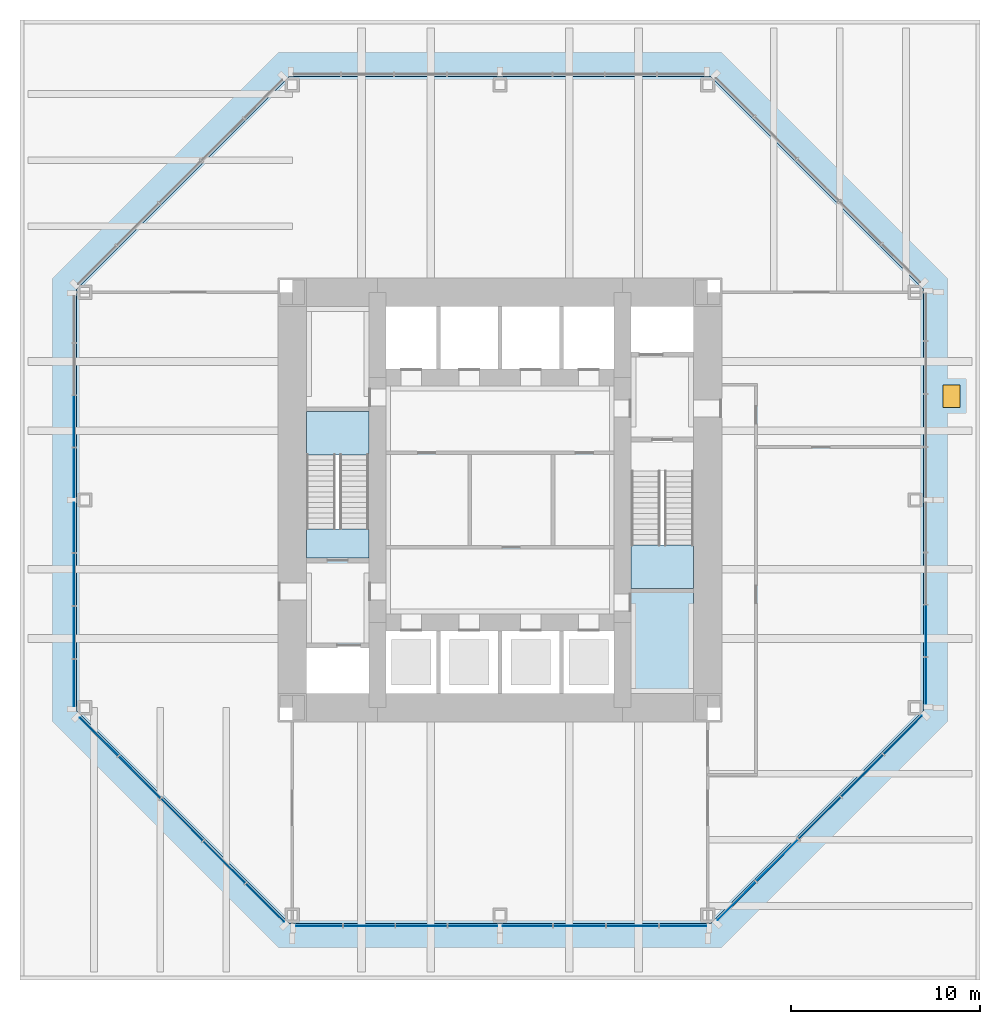
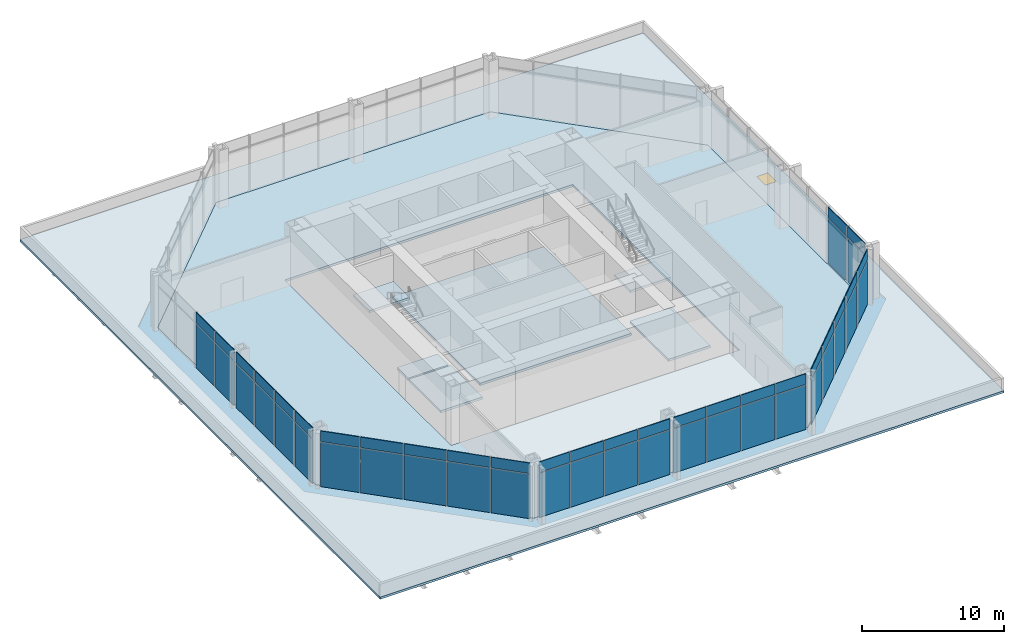
# One storey, part 6 of 11: 52 plates, 8 slabs, 1 window, 1 opening, 7 elements without a shape of their own.
"""IFC4 building model written with IfcOpenShell, lengths in metres."""

from ifc_helpers import new_model, si_unit, direction, frame, origin, origin_2d, place, context, subcontext, project, spatial, polyline, rectangle, outline, extrude, material, layer, layer_set, type_object, element, fill, aggregate, save


model = new_model("IFC4")

# Units and contexts
model_context = context("Model", 3, precision=1e-05, world=origin(), true_north=direction((0.0, 1.0)))
body_context = subcontext(model_context, "Body", "Model", "MODEL_VIEW")
ifc_project = project(units=[si_unit("LENGTHUNIT", "METRE"), si_unit("AREAUNIT", "SQUARE_METRE"), si_unit("VOLUMEUNIT", "CUBIC_METRE"), si_unit("PLANEANGLEUNIT", "RADIAN"), si_unit("MASSUNIT", "GRAM", prefix="KILO")], contexts=[model_context])

# Site, building, storey
site_placement = place(None, origin())
site = spatial("IfcSite", under=ifc_project, at=site_placement, CompositionType="ELEMENT")
building_placement = place(site_placement, origin())
building = spatial("IfcBuilding", under=site, at=building_placement, Name="Trevanion Tower", CompositionType="ELEMENT")
storey_placement = place(building_placement, frame((0.0, 0.0, 95.800048828125)))
storey = spatial("IfcBuildingStorey", under=building, at=storey_placement, Name="L22", CompositionType="ELEMENT", Elevation=95.800048828125)

# Curtain wall, plates
ifc_material_1 = material(Name="Aluminium and glass", Category="aluminium")
curtain_wall_type = type_object("IfcCurtainWallType", Name="CW2 curtain wall", PredefinedType="USERDEFINED", material=ifc_material_1)
curtain_wall_1_placement = place(storey_placement, origin())
curtain_wall_1 = element("IfcCurtainWall", 1, at=curtain_wall_1_placement, inside=storey, type_object=curtain_wall_type, Name="CW2 L22 0", ObjectType="UNITISED CURTAIN WALL", PredefinedType="USERDEFINED")
ifc_material_2 = material(Name="Aluminium spandrel panel", Category="aluminium")
ifc_layer_1 = layer(ifc_material_2, 0.06005859375)
ifc_layer_set_1 = layer_set([ifc_layer_1], Name="CW2 spandrel panel")
plate_type_1 = type_object("IfcPlateType", Name="CW2 spandrel panel", PredefinedType="CURTAIN_PANEL", material=ifc_layer_set_1)
plate_1_placement = place(storey_placement, frame((22.550048828125, -9.579345703125, 3.8974609375), z_axis=(0.0, 0.0, 1.0), x_axis=(0.0, 1.0, 0.0)))
plate_1 = element("IfcPlate", 2, at=plate_1_placement, type_object=plate_type_1, Name="CW2 panel 1.2", PredefinedType="CURTAIN_PANEL", context=body_context, shape_type="SweptSolid", body=[
    extrude(rectangle(XDim=2.43701171875, YDim=0.06005859375, at=origin_2d()), origin(), (0.0, 0.0, 1.0), 0.91259765625),
])
plate_2_placement = place(storey_placement, frame((22.550048828125, -6.93603515625, 3.8974609375), z_axis=(0.0, 0.0, 1.0), x_axis=(0.0, 1.0, 0.0)))
plate_2 = element("IfcPlate", 3, at=plate_2_placement, type_object=plate_type_1, Name="CW2 panel 2.2", PredefinedType="CURTAIN_PANEL", context=body_context, shape_type="SweptSolid", body=[
    extrude(rectangle(XDim=2.699462890625, YDim=0.06005859375, at=origin_2d()), origin(), (0.0, 0.0, 1.0), 0.91259765625),
])

curtain_wall_2_placement = place(storey_placement, origin())
curtain_wall_2 = element("IfcCurtainWall", 4, at=curtain_wall_2_placement, inside=storey, type_object=curtain_wall_type, Name="CW2 L22 4", ObjectType="UNITISED CURTAIN WALL", PredefinedType="USERDEFINED")
plate_3_placement = place(storey_placement, frame((-22.550048828125, 4.16162109375, 3.8974609375), z_axis=(0.0, 0.0, 1.0), x_axis=(0.0, -1.0, 0.0)))
plate_3 = element("IfcPlate", 5, at=plate_3_placement, type_object=plate_type_1, Name="CW2 panel 3.2", PredefinedType="CURTAIN_PANEL", context=body_context, shape_type="SweptSolid", body=[
    extrude(rectangle(XDim=2.699462890625, YDim=0.06005859375, at=origin_2d()), origin(), (0.0, 0.0, 1.0), 0.91259765625),
])
plate_4_placement = place(storey_placement, frame((-22.550048828125, 1.443603515625, 3.8974609375), z_axis=(0.0, 0.0, 1.0), x_axis=(0.0, -1.0, 0.0)))
plate_4 = element("IfcPlate", 6, at=plate_4_placement, type_object=plate_type_1, Name="CW2 panel 4.2", PredefinedType="CURTAIN_PANEL", context=body_context, shape_type="SweptSolid", body=[
    extrude(rectangle(XDim=2.5869140625, YDim=0.06005859375, at=origin_2d()), origin(), (0.0, 0.0, 1.0), 0.91259765625),
])
plate_5_placement = place(storey_placement, frame((-22.550048828125, -1.459716796875, 3.8974609375), z_axis=(0.0, 0.0, 1.0), x_axis=(0.0, -1.0, 0.0)))
plate_5 = element("IfcPlate", 7, at=plate_5_placement, type_object=plate_type_1, Name="CW2 panel 5.2", PredefinedType="CURTAIN_PANEL", context=body_context, shape_type="SweptSolid", body=[
    extrude(rectangle(XDim=2.619384765625, YDim=0.06005859375, at=origin_2d()), origin(), (0.0, 0.0, 1.0), 0.91259765625),
])
plate_6_placement = place(storey_placement, frame((-22.550048828125, -4.21044921875, 3.8974609375), z_axis=(0.0, 0.0, 1.0), x_axis=(0.0, -1.0, 0.0)))
plate_6 = element("IfcPlate", 8, at=plate_6_placement, type_object=plate_type_1, Name="CW2 panel 6.2", PredefinedType="CURTAIN_PANEL", context=body_context, shape_type="SweptSolid", body=[
    extrude(rectangle(XDim=2.73193359375, YDim=0.06005859375, at=origin_2d()), origin(), (0.0, 0.0, 1.0), 0.91259765625),
])
plate_7_placement = place(storey_placement, frame((-22.550048828125, -7.017333984375, 3.8974609375), z_axis=(0.0, 0.0, 1.0), x_axis=(0.0, -1.0, 0.0)))
plate_7 = element("IfcPlate", 9, at=plate_7_placement, type_object=plate_type_1, Name="CW2 panel 7.2", PredefinedType="CURTAIN_PANEL", context=body_context, shape_type="SweptSolid", body=[
    extrude(rectangle(XDim=2.73193359375, YDim=0.06005859375, at=origin_2d()), origin(), (0.0, 0.0, 1.0), 0.91259765625),
])
plate_8_placement = place(storey_placement, frame((-22.550048828125, -9.693115234375, 3.8974609375), z_axis=(0.0, 0.0, 1.0), x_axis=(0.0, -1.0, 0.0)))
plate_8 = element("IfcPlate", 10, at=plate_8_placement, type_object=plate_type_1, Name="CW2 panel 8.2", PredefinedType="CURTAIN_PANEL", context=body_context, shape_type="SweptSolid", body=[
    extrude(rectangle(XDim=2.469482421875, YDim=0.06005859375, at=origin_2d()), origin(), (0.0, 0.0, 1.0), 0.91259765625),
])

curtain_wall_3_placement = place(storey_placement, origin())
curtain_wall_3 = element("IfcCurtainWall", 11, at=curtain_wall_3_placement, inside=storey, type_object=curtain_wall_type, Name="CW2 L22 5", ObjectType="UNITISED CURTAIN WALL", PredefinedType="USERDEFINED")
plate_9_placement = place(storey_placement, frame((-21.2421875, -12.53564453125, 3.8974609375), z_axis=(0.0, 0.0, 1.0), x_axis=(0.707106781187, -0.707106781187, 0.0)))
plate_9 = element("IfcPlate", 12, at=plate_9_placement, type_object=plate_type_1, Name="CW2 panel 1.2", PredefinedType="CURTAIN_PANEL", context=body_context, shape_type="SweptSolid", body=[
    extrude(rectangle(XDim=2.8388671875, YDim=0.06005859375, at=origin_2d()), origin(), (0.0, 0.0, 1.0), 0.91259765625),
])
plate_10_placement = place(storey_placement, frame((-19.089111328125, -14.688720703125, 3.8974609375), z_axis=(0.0, 0.0, 1.0), x_axis=(0.707106781187, -0.707106781187, 0.0)))
plate_10 = element("IfcPlate", 13, at=plate_10_placement, type_object=plate_type_1, Name="CW2 panel 2.2", PredefinedType="CURTAIN_PANEL", context=body_context, shape_type="SweptSolid", body=[
    extrude(rectangle(XDim=3.101318359375, YDim=0.06005859375, at=origin_2d()), origin(), (0.0, 0.0, 1.0), 0.91259765625),
])
plate_11_placement = place(storey_placement, frame((-16.843017578125, -16.934814453125, 3.8974609375), z_axis=(0.0, 0.0, 1.0), x_axis=(0.707106781187, -0.707106781187, 0.0)))
plate_11 = element("IfcPlate", 14, at=plate_11_placement, type_object=plate_type_1, Name="CW2 panel 3.2", PredefinedType="CURTAIN_PANEL", context=body_context, shape_type="SweptSolid", body=[
    extrude(rectangle(XDim=3.101318359375, YDim=0.06005859375, at=origin_2d()), origin(), (0.0, 0.0, 1.0), 0.91259765625),
])
plate_12_placement = place(storey_placement, frame((-14.596923828125, -19.180908203125, 3.8974609375), z_axis=(0.0, 0.0, 1.0), x_axis=(0.707106781187, -0.707106781187, 0.0)))
plate_12 = element("IfcPlate", 15, at=plate_12_placement, type_object=plate_type_1, Name="CW2 panel 4.2", PredefinedType="CURTAIN_PANEL", context=body_context, shape_type="SweptSolid", body=[
    extrude(rectangle(XDim=3.101318359375, YDim=0.06005859375, at=origin_2d()), origin(), (0.0, 0.0, 1.0), 0.91259765625),
])
plate_13_placement = place(storey_placement, frame((-12.443603515625, -21.334228515625, 3.8974609375), z_axis=(0.0, 0.0, 1.0), x_axis=(0.707106781187, -0.707106781187, 0.0)))
plate_13 = element("IfcPlate", 16, at=plate_13_placement, type_object=plate_type_1, Name="CW2 panel 5.2", PredefinedType="CURTAIN_PANEL", context=body_context, shape_type="SweptSolid", body=[
    extrude(rectangle(XDim=2.8388671875, YDim=0.06005859375, at=origin_2d()), origin(), (0.0, 0.0, 1.0), 0.91259765625),
])

curtain_wall_4_placement = place(storey_placement, origin())
curtain_wall_4 = element("IfcCurtainWall", 17, at=curtain_wall_4_placement, inside=storey, type_object=curtain_wall_type, Name="CW2 L22 6", ObjectType="UNITISED CURTAIN WALL", PredefinedType="USERDEFINED")
plate_14_placement = place(storey_placement, frame((-9.579345703125, -22.550048828125, 3.8974609375), z_axis=(0.0, 0.0, 1.0), x_axis=(1.0, 0.0, 0.0)))
plate_14 = element("IfcPlate", 18, at=plate_14_placement, type_object=plate_type_1, Name="CW2 panel 1.2", PredefinedType="CURTAIN_PANEL", context=body_context, shape_type="SweptSolid", body=[
    extrude(rectangle(XDim=2.43701171875, YDim=0.06005859375, at=origin_2d()), origin(), (0.0, 0.0, 1.0), 0.91259765625),
])
plate_15_placement = place(storey_placement, frame((-6.93603515625, -22.550048828125, 3.8974609375), z_axis=(0.0, 0.0, 1.0), x_axis=(1.0, 0.0, 0.0)))
plate_15 = element("IfcPlate", 19, at=plate_15_placement, type_object=plate_type_1, Name="CW2 panel 2.2", PredefinedType="CURTAIN_PANEL", context=body_context, shape_type="SweptSolid", body=[
    extrude(rectangle(XDim=2.699462890625, YDim=0.06005859375, at=origin_2d()), origin(), (0.0, 0.0, 1.0), 0.91259765625),
])
plate_16_placement = place(storey_placement, frame((-4.16162109375, -22.550048828125, 3.8974609375), z_axis=(0.0, 0.0, 1.0), x_axis=(1.0, 0.0, 0.0)))
plate_16 = element("IfcPlate", 20, at=plate_16_placement, type_object=plate_type_1, Name="CW2 panel 3.2", PredefinedType="CURTAIN_PANEL", context=body_context, shape_type="SweptSolid", body=[
    extrude(rectangle(XDim=2.699462890625, YDim=0.06005859375, at=origin_2d()), origin(), (0.0, 0.0, 1.0), 0.91259765625),
])
plate_17_placement = place(storey_placement, frame((-1.443603515625, -22.550048828125, 3.8974609375), z_axis=(0.0, 0.0, 1.0), x_axis=(1.0, 0.0, 0.0)))
plate_17 = element("IfcPlate", 21, at=plate_17_placement, type_object=plate_type_1, Name="CW2 panel 4.2", PredefinedType="CURTAIN_PANEL", context=body_context, shape_type="SweptSolid", body=[
    extrude(rectangle(XDim=2.5869140625, YDim=0.06005859375, at=origin_2d()), origin(), (0.0, 0.0, 1.0), 0.91259765625),
])
plate_18_placement = place(storey_placement, frame((1.459716796875, -22.550048828125, 3.8974609375), z_axis=(0.0, 0.0, 1.0), x_axis=(1.0, 0.0, 0.0)))
plate_18 = element("IfcPlate", 22, at=plate_18_placement, type_object=plate_type_1, Name="CW2 panel 5.2", PredefinedType="CURTAIN_PANEL", context=body_context, shape_type="SweptSolid", body=[
    extrude(rectangle(XDim=2.619384765625, YDim=0.06005859375, at=origin_2d()), origin(), (0.0, 0.0, 1.0), 0.91259765625),
])
plate_19_placement = place(storey_placement, frame((4.21044921875, -22.550048828125, 3.8974609375), z_axis=(0.0, 0.0, 1.0), x_axis=(1.0, 0.0, 0.0)))
plate_19 = element("IfcPlate", 23, at=plate_19_placement, type_object=plate_type_1, Name="CW2 panel 6.2", PredefinedType="CURTAIN_PANEL", context=body_context, shape_type="SweptSolid", body=[
    extrude(rectangle(XDim=2.73193359375, YDim=0.06005859375, at=origin_2d()), origin(), (0.0, 0.0, 1.0), 0.91259765625),
])
plate_20_placement = place(storey_placement, frame((7.017333984375, -22.550048828125, 3.8974609375), z_axis=(0.0, 0.0, 1.0), x_axis=(1.0, 0.0, 0.0)))
plate_20 = element("IfcPlate", 24, at=plate_20_placement, type_object=plate_type_1, Name="CW2 panel 7.2", PredefinedType="CURTAIN_PANEL", context=body_context, shape_type="SweptSolid", body=[
    extrude(rectangle(XDim=2.73193359375, YDim=0.06005859375, at=origin_2d()), origin(), (0.0, 0.0, 1.0), 0.91259765625),
])
plate_21_placement = place(storey_placement, frame((9.693115234375, -22.550048828125, 3.8974609375), z_axis=(0.0, 0.0, 1.0), x_axis=(1.0, 0.0, 0.0)))
plate_21 = element("IfcPlate", 25, at=plate_21_placement, type_object=plate_type_1, Name="CW2 panel 8.2", PredefinedType="CURTAIN_PANEL", context=body_context, shape_type="SweptSolid", body=[
    extrude(rectangle(XDim=2.469482421875, YDim=0.06005859375, at=origin_2d()), origin(), (0.0, 0.0, 1.0), 0.91259765625),
])

curtain_wall_5_placement = place(storey_placement, origin())
curtain_wall_5 = element("IfcCurtainWall", 26, at=curtain_wall_5_placement, inside=storey, type_object=curtain_wall_type, Name="CW2 L22 7", ObjectType="UNITISED CURTAIN WALL", PredefinedType="USERDEFINED")
plate_22_placement = place(storey_placement, frame((12.53564453125, -21.2421875, 3.8974609375), z_axis=(0.0, 0.0, 1.0), x_axis=(0.707106781187, 0.707106781187, 0.0)))
plate_22 = element("IfcPlate", 27, at=plate_22_placement, type_object=plate_type_1, Name="CW2 panel 1.2", PredefinedType="CURTAIN_PANEL", context=body_context, shape_type="SweptSolid", body=[
    extrude(rectangle(XDim=2.8388671875, YDim=0.06005859375, at=origin_2d()), origin(), (0.0, 0.0, 1.0), 0.91259765625),
])
plate_23_placement = place(storey_placement, frame((14.688720703125, -19.089111328125, 3.8974609375), z_axis=(0.0, 0.0, 1.0), x_axis=(0.707106781187, 0.707106781187, 0.0)))
plate_23 = element("IfcPlate", 28, at=plate_23_placement, type_object=plate_type_1, Name="CW2 panel 2.2", PredefinedType="CURTAIN_PANEL", context=body_context, shape_type="SweptSolid", body=[
    extrude(rectangle(XDim=3.101318359375, YDim=0.06005859375, at=origin_2d()), origin(), (0.0, 0.0, 1.0), 0.91259765625),
])
plate_24_placement = place(storey_placement, frame((16.934814453125, -16.843017578125, 3.8974609375), z_axis=(0.0, 0.0, 1.0), x_axis=(0.707106781187, 0.707106781187, 0.0)))
plate_24 = element("IfcPlate", 29, at=plate_24_placement, type_object=plate_type_1, Name="CW2 panel 3.2", PredefinedType="CURTAIN_PANEL", context=body_context, shape_type="SweptSolid", body=[
    extrude(rectangle(XDim=3.101318359375, YDim=0.06005859375, at=origin_2d()), origin(), (0.0, 0.0, 1.0), 0.91259765625),
])
plate_25_placement = place(storey_placement, frame((19.180908203125, -14.596923828125, 3.8974609375), z_axis=(0.0, 0.0, 1.0), x_axis=(0.707106781187, 0.707106781187, 0.0)))
plate_25 = element("IfcPlate", 30, at=plate_25_placement, type_object=plate_type_1, Name="CW2 panel 4.2", PredefinedType="CURTAIN_PANEL", context=body_context, shape_type="SweptSolid", body=[
    extrude(rectangle(XDim=3.101318359375, YDim=0.06005859375, at=origin_2d()), origin(), (0.0, 0.0, 1.0), 0.91259765625),
])
plate_26_placement = place(storey_placement, frame((21.334228515625, -12.443603515625, 3.8974609375), z_axis=(0.0, 0.0, 1.0), x_axis=(0.707106781187, 0.707106781187, 0.0)))
plate_26 = element("IfcPlate", 31, at=plate_26_placement, type_object=plate_type_1, Name="CW2 panel 5.2", PredefinedType="CURTAIN_PANEL", context=body_context, shape_type="SweptSolid", body=[
    extrude(rectangle(XDim=2.8388671875, YDim=0.06005859375, at=origin_2d()), origin(), (0.0, 0.0, 1.0), 0.91259765625),
])

# Plate
ifc_material_3 = material(Name="Insulating glass unit", Category="glass")
ifc_layer_2 = layer(ifc_material_3, 0.028076171875)
ifc_layer_set_2 = layer_set([ifc_layer_2], Name="CW2 vision panel")
plate_type_2 = type_object("IfcPlateType", Name="CW2 vision panel", PredefinedType="CURTAIN_PANEL", material=ifc_layer_set_2)
plate_27_placement = place(storey_placement, frame((22.550048828125, -9.579345703125, -0.114990234375), z_axis=(0.0, 0.0, 1.0), x_axis=(0.0, 1.0, 0.0)))
plate_27 = element("IfcPlate", 32, at=plate_27_placement, type_object=plate_type_2, Name="CW2 panel 1.1", PredefinedType="CURTAIN_PANEL", context=body_context, shape_type="SweptSolid", body=[
    extrude(rectangle(XDim=2.43701171875, YDim=0.028076171875, at=origin_2d()), origin(), (0.0, 0.0, 1.0), 3.9375),
])

plate_28_placement = place(storey_placement, frame((22.550048828125, -6.93603515625, -0.114990234375), z_axis=(0.0, 0.0, 1.0), x_axis=(0.0, 1.0, 0.0)))
plate_28 = element("IfcPlate", 33, at=plate_28_placement, type_object=plate_type_2, Name="CW2 panel 2.1", PredefinedType="CURTAIN_PANEL", context=body_context, shape_type="SweptSolid", body=[
    extrude(rectangle(XDim=2.699462890625, YDim=0.028076171875, at=origin_2d()), origin(), (0.0, 0.0, 1.0), 3.9375),
])

aggregate(curtain_wall_1, [plate_27, plate_1, plate_28, plate_2])

plate_29_placement = place(storey_placement, frame((-22.550048828125, 4.16162109375, -0.114990234375), z_axis=(0.0, 0.0, 1.0), x_axis=(0.0, -1.0, 0.0)))
plate_29 = element("IfcPlate", 34, at=plate_29_placement, type_object=plate_type_2, Name="CW2 panel 3.1", PredefinedType="CURTAIN_PANEL", context=body_context, shape_type="SweptSolid", body=[
    extrude(rectangle(XDim=2.699462890625, YDim=0.028076171875, at=origin_2d()), origin(), (0.0, 0.0, 1.0), 3.9375),
])

plate_30_placement = place(storey_placement, frame((-22.550048828125, 1.443603515625, -0.114990234375), z_axis=(0.0, 0.0, 1.0), x_axis=(0.0, -1.0, 0.0)))
plate_30 = element("IfcPlate", 35, at=plate_30_placement, type_object=plate_type_2, Name="CW2 panel 4.1", PredefinedType="CURTAIN_PANEL", context=body_context, shape_type="SweptSolid", body=[
    extrude(rectangle(XDim=2.5869140625, YDim=0.028076171875, at=origin_2d()), origin(), (0.0, 0.0, 1.0), 3.9375),
])

plate_31_placement = place(storey_placement, frame((-22.550048828125, -1.459716796875, -0.114990234375), z_axis=(0.0, 0.0, 1.0), x_axis=(0.0, -1.0, 0.0)))
plate_31 = element("IfcPlate", 36, at=plate_31_placement, type_object=plate_type_2, Name="CW2 panel 5.1", PredefinedType="CURTAIN_PANEL", context=body_context, shape_type="SweptSolid", body=[
    extrude(rectangle(XDim=2.619384765625, YDim=0.028076171875, at=origin_2d()), origin(), (0.0, 0.0, 1.0), 3.9375),
])

plate_32_placement = place(storey_placement, frame((-22.550048828125, -4.21044921875, -0.114990234375), z_axis=(0.0, 0.0, 1.0), x_axis=(0.0, -1.0, 0.0)))
plate_32 = element("IfcPlate", 37, at=plate_32_placement, type_object=plate_type_2, Name="CW2 panel 6.1", PredefinedType="CURTAIN_PANEL", context=body_context, shape_type="SweptSolid", body=[
    extrude(rectangle(XDim=2.73193359375, YDim=0.028076171875, at=origin_2d()), origin(), (0.0, 0.0, 1.0), 3.9375),
])

plate_33_placement = place(storey_placement, frame((-22.550048828125, -7.017333984375, -0.114990234375), z_axis=(0.0, 0.0, 1.0), x_axis=(0.0, -1.0, 0.0)))
plate_33 = element("IfcPlate", 38, at=plate_33_placement, type_object=plate_type_2, Name="CW2 panel 7.1", PredefinedType="CURTAIN_PANEL", context=body_context, shape_type="SweptSolid", body=[
    extrude(rectangle(XDim=2.73193359375, YDim=0.028076171875, at=origin_2d()), origin(), (0.0, 0.0, 1.0), 3.9375),
])

plate_34_placement = place(storey_placement, frame((-22.550048828125, -9.693115234375, -0.114990234375), z_axis=(0.0, 0.0, 1.0), x_axis=(0.0, -1.0, 0.0)))
plate_34 = element("IfcPlate", 39, at=plate_34_placement, type_object=plate_type_2, Name="CW2 panel 8.1", PredefinedType="CURTAIN_PANEL", context=body_context, shape_type="SweptSolid", body=[
    extrude(rectangle(XDim=2.469482421875, YDim=0.028076171875, at=origin_2d()), origin(), (0.0, 0.0, 1.0), 3.9375),
])

aggregate(curtain_wall_2, [plate_29, plate_3, plate_30, plate_4, plate_31, plate_5, plate_32, plate_6, plate_33, plate_7, plate_34, plate_8])

plate_35_placement = place(storey_placement, frame((-21.2421875, -12.53564453125, -0.114990234375), z_axis=(0.0, 0.0, 1.0), x_axis=(0.707106781187, -0.707106781187, 0.0)))
plate_35 = element("IfcPlate", 40, at=plate_35_placement, type_object=plate_type_2, Name="CW2 panel 1.1", PredefinedType="CURTAIN_PANEL", context=body_context, shape_type="SweptSolid", body=[
    extrude(rectangle(XDim=2.8388671875, YDim=0.028076171875, at=origin_2d()), origin(), (0.0, 0.0, 1.0), 3.9375),
])

plate_36_placement = place(storey_placement, frame((-19.089111328125, -14.688720703125, -0.114990234375), z_axis=(0.0, 0.0, 1.0), x_axis=(0.707106781187, -0.707106781187, 0.0)))
plate_36 = element("IfcPlate", 41, at=plate_36_placement, type_object=plate_type_2, Name="CW2 panel 2.1", PredefinedType="CURTAIN_PANEL", context=body_context, shape_type="SweptSolid", body=[
    extrude(rectangle(XDim=3.101318359375, YDim=0.028076171875, at=origin_2d()), origin(), (0.0, 0.0, 1.0), 3.9375),
])

plate_37_placement = place(storey_placement, frame((-16.843017578125, -16.934814453125, -0.114990234375), z_axis=(0.0, 0.0, 1.0), x_axis=(0.707106781187, -0.707106781187, 0.0)))
plate_37 = element("IfcPlate", 42, at=plate_37_placement, type_object=plate_type_2, Name="CW2 panel 3.1", PredefinedType="CURTAIN_PANEL", context=body_context, shape_type="SweptSolid", body=[
    extrude(rectangle(XDim=3.101318359375, YDim=0.028076171875, at=origin_2d()), origin(), (0.0, 0.0, 1.0), 3.9375),
])

plate_38_placement = place(storey_placement, frame((-14.596923828125, -19.180908203125, -0.114990234375), z_axis=(0.0, 0.0, 1.0), x_axis=(0.707106781187, -0.707106781187, 0.0)))
plate_38 = element("IfcPlate", 43, at=plate_38_placement, type_object=plate_type_2, Name="CW2 panel 4.1", PredefinedType="CURTAIN_PANEL", context=body_context, shape_type="SweptSolid", body=[
    extrude(rectangle(XDim=3.101318359375, YDim=0.028076171875, at=origin_2d()), origin(), (0.0, 0.0, 1.0), 3.9375),
])

plate_39_placement = place(storey_placement, frame((-12.443603515625, -21.334228515625, -0.114990234375), z_axis=(0.0, 0.0, 1.0), x_axis=(0.707106781187, -0.707106781187, 0.0)))
plate_39 = element("IfcPlate", 44, at=plate_39_placement, type_object=plate_type_2, Name="CW2 panel 5.1", PredefinedType="CURTAIN_PANEL", context=body_context, shape_type="SweptSolid", body=[
    extrude(rectangle(XDim=2.8388671875, YDim=0.028076171875, at=origin_2d()), origin(), (0.0, 0.0, 1.0), 3.9375),
])

aggregate(curtain_wall_3, [plate_35, plate_9, plate_36, plate_10, plate_37, plate_11, plate_38, plate_12, plate_39, plate_13])

plate_40_placement = place(storey_placement, frame((-9.579345703125, -22.550048828125, -0.114990234375), z_axis=(0.0, 0.0, 1.0), x_axis=(1.0, 0.0, 0.0)))
plate_40 = element("IfcPlate", 45, at=plate_40_placement, type_object=plate_type_2, Name="CW2 panel 1.1", PredefinedType="CURTAIN_PANEL", context=body_context, shape_type="SweptSolid", body=[
    extrude(rectangle(XDim=2.43701171875, YDim=0.028076171875, at=origin_2d()), origin(), (0.0, 0.0, 1.0), 3.9375),
])

plate_41_placement = place(storey_placement, frame((-6.93603515625, -22.550048828125, -0.114990234375), z_axis=(0.0, 0.0, 1.0), x_axis=(1.0, 0.0, 0.0)))
plate_41 = element("IfcPlate", 46, at=plate_41_placement, type_object=plate_type_2, Name="CW2 panel 2.1", PredefinedType="CURTAIN_PANEL", context=body_context, shape_type="SweptSolid", body=[
    extrude(rectangle(XDim=2.699462890625, YDim=0.028076171875, at=origin_2d()), origin(), (0.0, 0.0, 1.0), 3.9375),
])

plate_42_placement = place(storey_placement, frame((-4.16162109375, -22.550048828125, -0.114990234375), z_axis=(0.0, 0.0, 1.0), x_axis=(1.0, 0.0, 0.0)))
plate_42 = element("IfcPlate", 47, at=plate_42_placement, type_object=plate_type_2, Name="CW2 panel 3.1", PredefinedType="CURTAIN_PANEL", context=body_context, shape_type="SweptSolid", body=[
    extrude(rectangle(XDim=2.699462890625, YDim=0.028076171875, at=origin_2d()), origin(), (0.0, 0.0, 1.0), 3.9375),
])

plate_43_placement = place(storey_placement, frame((-1.443603515625, -22.550048828125, -0.114990234375), z_axis=(0.0, 0.0, 1.0), x_axis=(1.0, 0.0, 0.0)))
plate_43 = element("IfcPlate", 48, at=plate_43_placement, type_object=plate_type_2, Name="CW2 panel 4.1", PredefinedType="CURTAIN_PANEL", context=body_context, shape_type="SweptSolid", body=[
    extrude(rectangle(XDim=2.5869140625, YDim=0.028076171875, at=origin_2d()), origin(), (0.0, 0.0, 1.0), 3.9375),
])

plate_44_placement = place(storey_placement, frame((1.459716796875, -22.550048828125, -0.114990234375), z_axis=(0.0, 0.0, 1.0), x_axis=(1.0, 0.0, 0.0)))
plate_44 = element("IfcPlate", 49, at=plate_44_placement, type_object=plate_type_2, Name="CW2 panel 5.1", PredefinedType="CURTAIN_PANEL", context=body_context, shape_type="SweptSolid", body=[
    extrude(rectangle(XDim=2.619384765625, YDim=0.028076171875, at=origin_2d()), origin(), (0.0, 0.0, 1.0), 3.9375),
])

plate_45_placement = place(storey_placement, frame((4.21044921875, -22.550048828125, -0.114990234375), z_axis=(0.0, 0.0, 1.0), x_axis=(1.0, 0.0, 0.0)))
plate_45 = element("IfcPlate", 50, at=plate_45_placement, type_object=plate_type_2, Name="CW2 panel 6.1", PredefinedType="CURTAIN_PANEL", context=body_context, shape_type="SweptSolid", body=[
    extrude(rectangle(XDim=2.73193359375, YDim=0.028076171875, at=origin_2d()), origin(), (0.0, 0.0, 1.0), 3.9375),
])

plate_46_placement = place(storey_placement, frame((7.017333984375, -22.550048828125, -0.114990234375), z_axis=(0.0, 0.0, 1.0), x_axis=(1.0, 0.0, 0.0)))
plate_46 = element("IfcPlate", 51, at=plate_46_placement, type_object=plate_type_2, Name="CW2 panel 7.1", PredefinedType="CURTAIN_PANEL", context=body_context, shape_type="SweptSolid", body=[
    extrude(rectangle(XDim=2.73193359375, YDim=0.028076171875, at=origin_2d()), origin(), (0.0, 0.0, 1.0), 3.9375),
])

plate_47_placement = place(storey_placement, frame((9.693115234375, -22.550048828125, -0.114990234375), z_axis=(0.0, 0.0, 1.0), x_axis=(1.0, 0.0, 0.0)))
plate_47 = element("IfcPlate", 52, at=plate_47_placement, type_object=plate_type_2, Name="CW2 panel 8.1", PredefinedType="CURTAIN_PANEL", context=body_context, shape_type="SweptSolid", body=[
    extrude(rectangle(XDim=2.469482421875, YDim=0.028076171875, at=origin_2d()), origin(), (0.0, 0.0, 1.0), 3.9375),
])

aggregate(curtain_wall_4, [plate_40, plate_14, plate_41, plate_15, plate_42, plate_16, plate_43, plate_17, plate_44, plate_18, plate_45, plate_19, plate_46, plate_20, plate_47, plate_21])

plate_48_placement = place(storey_placement, frame((12.53564453125, -21.2421875, -0.114990234375), z_axis=(0.0, 0.0, 1.0), x_axis=(0.707106781187, 0.707106781187, 0.0)))
plate_48 = element("IfcPlate", 53, at=plate_48_placement, type_object=plate_type_2, Name="CW2 panel 1.1", PredefinedType="CURTAIN_PANEL", context=body_context, shape_type="SweptSolid", body=[
    extrude(rectangle(XDim=2.8388671875, YDim=0.028076171875, at=origin_2d()), origin(), (0.0, 0.0, 1.0), 3.9375),
])

plate_49_placement = place(storey_placement, frame((14.688720703125, -19.089111328125, -0.114990234375), z_axis=(0.0, 0.0, 1.0), x_axis=(0.707106781187, 0.707106781187, 0.0)))
plate_49 = element("IfcPlate", 54, at=plate_49_placement, type_object=plate_type_2, Name="CW2 panel 2.1", PredefinedType="CURTAIN_PANEL", context=body_context, shape_type="SweptSolid", body=[
    extrude(rectangle(XDim=3.101318359375, YDim=0.028076171875, at=origin_2d()), origin(), (0.0, 0.0, 1.0), 3.9375),
])

plate_50_placement = place(storey_placement, frame((16.934814453125, -16.843017578125, -0.114990234375), z_axis=(0.0, 0.0, 1.0), x_axis=(0.707106781187, 0.707106781187, 0.0)))
plate_50 = element("IfcPlate", 55, at=plate_50_placement, type_object=plate_type_2, Name="CW2 panel 3.1", PredefinedType="CURTAIN_PANEL", context=body_context, shape_type="SweptSolid", body=[
    extrude(rectangle(XDim=3.101318359375, YDim=0.028076171875, at=origin_2d()), origin(), (0.0, 0.0, 1.0), 3.9375),
])

plate_51_placement = place(storey_placement, frame((19.180908203125, -14.596923828125, -0.114990234375), z_axis=(0.0, 0.0, 1.0), x_axis=(0.707106781187, 0.707106781187, 0.0)))
plate_51 = element("IfcPlate", 56, at=plate_51_placement, type_object=plate_type_2, Name="CW2 panel 4.1", PredefinedType="CURTAIN_PANEL", context=body_context, shape_type="SweptSolid", body=[
    extrude(rectangle(XDim=3.101318359375, YDim=0.028076171875, at=origin_2d()), origin(), (0.0, 0.0, 1.0), 3.9375),
])

plate_52_placement = place(storey_placement, frame((21.334228515625, -12.443603515625, -0.114990234375), z_axis=(0.0, 0.0, 1.0), x_axis=(0.707106781187, 0.707106781187, 0.0)))
plate_52 = element("IfcPlate", 57, at=plate_52_placement, type_object=plate_type_2, Name="CW2 panel 5.1", PredefinedType="CURTAIN_PANEL", context=body_context, shape_type="SweptSolid", body=[
    extrude(rectangle(XDim=2.8388671875, YDim=0.028076171875, at=origin_2d()), origin(), (0.0, 0.0, 1.0), 3.9375),
])

aggregate(curtain_wall_5, [plate_48, plate_22, plate_49, plate_23, plate_50, plate_24, plate_51, plate_25, plate_52, plate_26])

# Slab, opening, window
ifc_material_4 = material(Name="Concrete 5,000 psi on composite metal deck", Category="concrete")
ifc_layer_3 = layer(ifc_material_4, 0.18994140625)
ifc_layer_set_3 = layer_set([ifc_layer_3], Name="RS1 composite roof 190")
slab_type_1 = type_object("IfcSlabType", Name="RS1 composite roof 190", PredefinedType="ROOF", material=ifc_layer_set_3)
slab_1_placement = place(storey_placement, frame((0.0, 0.0, -0.18994140625)))
slab_1 = element("IfcSlab", 58, at=slab_1_placement, inside=storey, type_object=slab_type_1, Name="RS1 L22 setback roof", PredefinedType="ROOF", context=body_context, shape_type="SweptSolid", body=[
    extrude(outline(polyline([(25.419921875, -25.419921875), (25.419921875, 25.419921875), (-25.419921875, 25.419921875), (-25.419921875, -25.419921875), (25.419921875, -25.419921875)]), holes=[polyline([(11.174072265625, -22.419921875), (-11.174072265625, -22.419921875), (-22.419921875, -11.174072265625), (-22.419921875, 11.174072265625), (-11.174072265625, 22.419921875), (11.174072265625, 22.419921875), (22.419921875, 11.174072265625), (22.419921875, -11.174072265625), (11.174072265625, -22.419921875)])]), origin(), (0.0, 0.0, 1.0), 0.18994140625),
])
opening_placement = place(slab_1_placement, frame((23.919921875, 5.5, 0.0)))
opening = element("IfcOpeningElement", 59, at=opening_placement, cuts=slab_1, Name="Opening RH1", PredefinedType="OPENING", context=body_context, shape_type="SweptSolid", body=[
    extrude(rectangle(XDim=0.89990234375, YDim=1.199951171875, at=origin_2d()), origin(), (0.0, 0.0, 1.0), 0.18994140625),
])
ifc_material_5 = material(Name="Galvanised steel, insulated", Category="steel")
window_type = type_object("IfcWindowType", Name="RH1 roof access hatch 900x1200", PartitioningType="SINGLE_PANEL", PredefinedType="SKYLIGHT", material=ifc_material_5)
window_placement = place(opening_placement, frame((0.0, 0.0, 0.139892578125)))
window = element("IfcWindow", 60, at=window_placement, inside=storey, type_object=window_type, Name="RH1 L22", OverallHeight=1.199951171875, OverallWidth=0.89990234375, PartitioningType="SINGLE_PANEL", PredefinedType="SKYLIGHT", context=body_context, shape_type="SweptSolid", body=[
    extrude(rectangle(XDim=0.89990234375, YDim=1.199951171875, at=origin_2d()), origin(), (0.0, 0.0, 1.0), 0.050048828125),
])
fill(opening, window)

# Slabs
ifc_material_6 = material(Name="Concrete 5,000 psi on composite metal deck", Category="concrete")
ifc_layer_4 = layer(ifc_material_6, 0.18994140625)
ifc_layer_set_4 = layer_set([ifc_layer_4], Name="SL1 composite floor 190")
slab_type_2 = type_object("IfcSlabType", Name="SL1 composite floor 190", PredefinedType="FLOOR", material=ifc_layer_set_4)
slab_2_placement = place(storey_placement, frame((0.0, 0.0, -0.18994140625)))
element("IfcSlab", 61, at=slab_2_placement, inside=storey, type_object=slab_type_2, Name="SL1 L22 floor", PredefinedType="FLOOR", context=body_context, shape_type="SweptSolid", body=[
    extrude(outline(polyline([(22.419921875, -11.174072265625), (22.419921875, 11.174072265625), (11.174072265625, 22.419921875), (-11.174072265625, 22.419921875), (-22.419921875, 11.174072265625), (-22.419921875, -11.174072265625), (-11.174072265625, -22.419921875), (11.174072265625, -22.419921875), (22.419921875, -11.174072265625)]), holes=[polyline([(11.75, -11.75), (11.75, 11.75), (-11.75, 11.75), (-11.75, -11.75), (11.75, -11.75)])]), origin(), (0.0, 0.0, 1.0), 0.18994140625),
])
ifc_material_7 = material(Name="Concrete 5,000 psi", Category="concrete")
ifc_layer_5 = layer(ifc_material_7, 0.199951171875)
ifc_layer_set_5 = layer_set([ifc_layer_5], Name="SL2 core floor 200")
slab_type_3 = type_object("IfcSlabType", Name="SL2 core floor 200", PredefinedType="FLOOR", material=ifc_layer_set_5)
slab_3_placement = place(storey_placement, frame((0.0, 0.0, -0.199951171875)))
element("IfcSlab", 62, at=slab_3_placement, inside=storey, type_object=slab_type_3, Name="SL2 L22 core floor 1", PredefinedType="FLOOR", context=body_context, shape_type="SweptSolid", body=[
    extrude(outline(polyline([(10.25, -4.804931640625), (10.25, -10.25), (6.830078125, -10.25), (6.830078125, -4.804931640625), (10.25, -4.804931640625)])), origin(), (0.0, 0.0, 1.0), 0.199951171875),
])
slab_4_placement = place(storey_placement, frame((0.0, 0.0, -0.199951171875)))
element("IfcSlab", 63, at=slab_4_placement, inside=storey, type_object=slab_type_3, Name="SL2 L22 core floor 2", PredefinedType="FLOOR", context=body_context, shape_type="SweptSolid", body=[
    extrude(outline(polyline([(-6.830078125, -3.205078125), (-6.830078125, -7.695068359375), (-10.25, -7.695068359375), (-10.25, -3.205078125), (-6.830078125, -3.205078125)])), origin(), (0.0, 0.0, 1.0), 0.199951171875),
])
slab_5_placement = place(storey_placement, frame((0.0, 0.0, -0.199951171875)))
element("IfcSlab", 64, at=slab_5_placement, inside=storey, type_object=slab_type_3, Name="SL2 L22 core floor 3", PredefinedType="FLOOR", context=body_context, shape_type="SweptSolid", body=[
    extrude(outline(polyline([(6.169921875, -6.169921875), (-6.169921875, -6.169921875), (-6.169921875, 6.169921875), (6.169921875, 6.169921875), (6.169921875, -6.169921875)])), origin(), (0.0, 0.0, 1.0), 0.199951171875),
])

# Stair, slab
ifc_material_8 = material(Name="Concrete 5,000 psi on steel stringers", Category="concrete")
stair_type = type_object("IfcStairType", Name="ST stair", PredefinedType="HALF_TURN_STAIR", material=ifc_material_8)
stair_1_placement = place(storey_placement, origin())
stair_1 = element("IfcStair", 65, at=stair_1_placement, inside=storey, type_object=stair_type, Name="ST1 L22", PredefinedType="HALF_TURN_STAIR")
ifc_material_9 = material(Name="Concrete 5,000 psi in steel pan", Category="concrete")
ifc_layer_6 = layer(ifc_material_9, 0.199951171875)
ifc_layer_set_6 = layer_set([ifc_layer_6], Name="STL stair landing 200")
slab_type_4 = type_object("IfcSlabType", Name="STL stair landing 200", PredefinedType="LANDING", material=ifc_layer_set_6)
slab_6_placement = place(storey_placement, frame((0.0, 0.0, 2.300048828125)))
slab_6 = element("IfcSlab", 66, at=slab_6_placement, type_object=slab_type_4, Name="ST1 landing 2", PredefinedType="LANDING", context=body_context, shape_type="SweptSolid", body=[
    extrude(outline(polyline([(6.949951171875, -4.675048828125), (10.25, -4.675048828125), (10.25, -2.39501953125), (6.949951171875, -2.39501953125), (6.949951171875, -4.675048828125)])), origin(), (0.0, 0.0, 1.0), 0.199951171875),
])
aggregate(stair_1, [slab_6])

# Stair, slabs
stair_2_placement = place(storey_placement, origin())
stair_2 = element("IfcStair", 67, at=stair_2_placement, inside=storey, type_object=stair_type, Name="ST2 L22", PredefinedType="HALF_TURN_STAIR")
slab_7_placement = place(storey_placement, frame((0.0, 0.0, -0.199951171875)))
slab_7 = element("IfcSlab", 68, at=slab_7_placement, type_object=slab_type_4, Name="ST2 landing 1", PredefinedType="LANDING", context=body_context, shape_type="SweptSolid", body=[
    extrude(outline(polyline([(-6.949951171875, -1.52490234375), (-10.25, -1.52490234375), (-10.25, -3.074951171875), (-6.949951171875, -3.074951171875), (-6.949951171875, -1.52490234375)])), origin(), (0.0, 0.0, 1.0), 0.199951171875),
])
slab_8_placement = place(storey_placement, frame((0.0, 0.0, 2.300048828125)))
slab_8 = element("IfcSlab", 69, at=slab_8_placement, type_object=slab_type_4, Name="ST2 landing 2", PredefinedType="LANDING", context=body_context, shape_type="SweptSolid", body=[
    extrude(outline(polyline([(-6.949951171875, 4.675048828125), (-10.25, 4.675048828125), (-10.25, 2.39501953125), (-6.949951171875, 2.39501953125), (-6.949951171875, 4.675048828125)])), origin(), (0.0, 0.0, 1.0), 0.199951171875),
])
aggregate(stair_2, [slab_7, slab_8])

save(model, "model.ifc")
